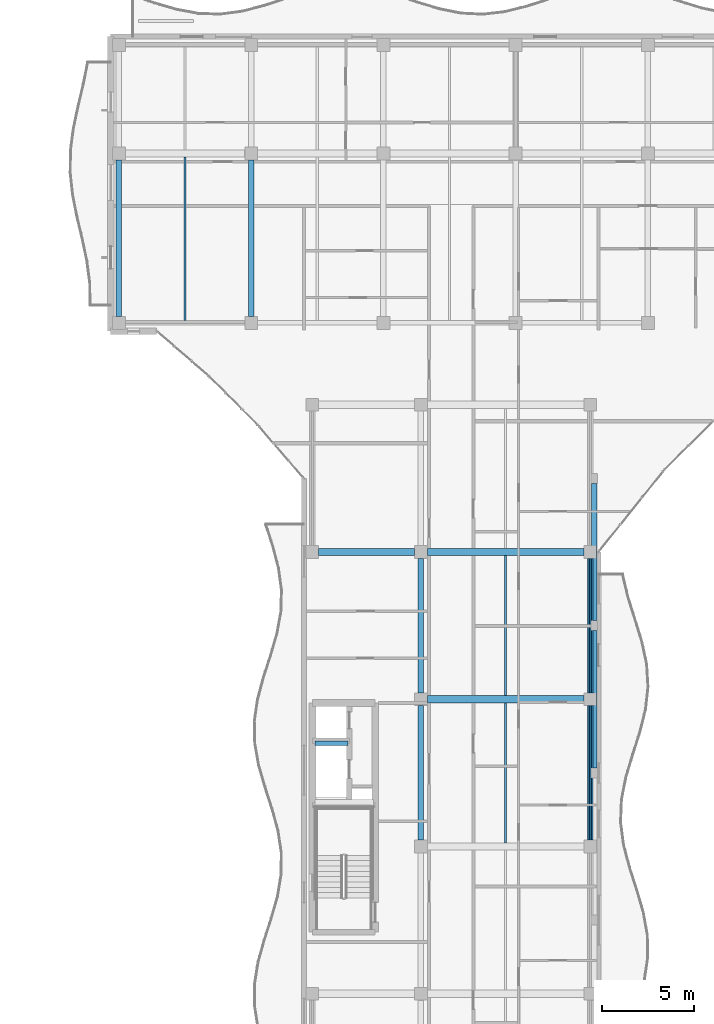
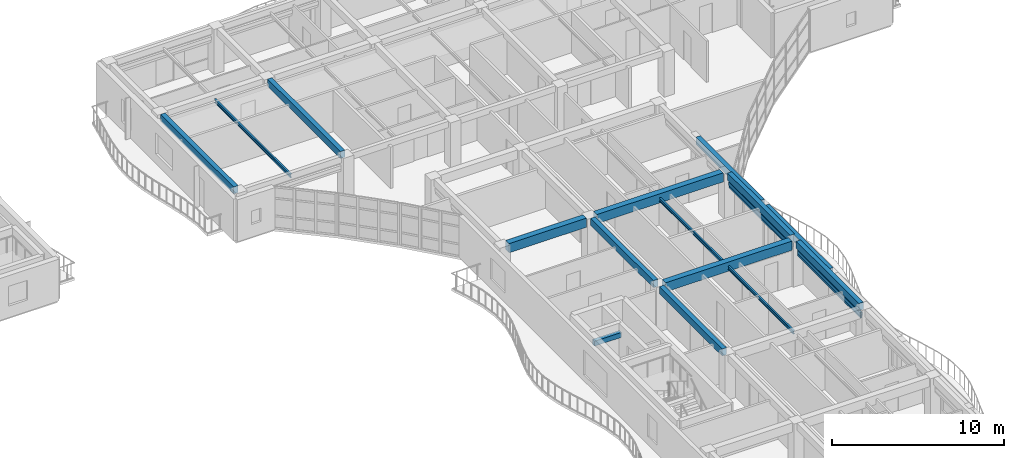
# One storey, part 19 of 89: 15 beams, 4 members.
"""IFC4 building model written with IfcOpenShell, lengths in metres."""

from ifc_helpers import new_model, si_unit, direction, frame, origin, origin_2d, place, context, subcontext, project, spatial, rectangle, hollow_rectangle, i_section, extrude, material, material_profile, profile_set, type_object, element, save


model = new_model("IFC4")

# Units and contexts
model_context = context("Model", 3, precision=1e-05, world=origin(), true_north=direction((0.0, 1.0)))
body_context = subcontext(model_context, "Body", "Model", "MODEL_VIEW")
ifc_project = project(units=[si_unit("LENGTHUNIT", "METRE"), si_unit("AREAUNIT", "SQUARE_METRE"), si_unit("VOLUMEUNIT", "CUBIC_METRE"), si_unit("PLANEANGLEUNIT", "RADIAN"), si_unit("MASSUNIT", "GRAM", prefix="KILO")], contexts=[model_context])

# Site, building, storey
site_placement = place(None, origin())
site = spatial("IfcSite", under=ifc_project, at=site_placement, CompositionType="ELEMENT")
building_placement = place(site_placement, origin())
building = spatial("IfcBuilding", under=site, at=building_placement, Name="Keldmere Railside Commons", CompositionType="ELEMENT")
storey_placement = place(building_placement, frame((0.0, 0.0, 7.360107421875)))
storey = spatial("IfcBuildingStorey", under=building, at=storey_placement, Name="L02", CompositionType="ELEMENT", Elevation=7.360107421875)

# Members
ifc_material_1 = material(Name="Steel F-36 (S355)", Category="steel")
ifc_material_profile_1 = material_profile(ifc_material_1, hollow_rectangle(XDim=0.14990234375, YDim=0.25, WallThickness=0.010009765625, at=origin_2d()), Name="RHS-250x150x10")
ifc_profile_set_1 = profile_set([ifc_material_profile_1], Name="Steel F-36 (S355)")
member_type_1 = type_object("IfcMemberType", Name="Balcony Continuous Planted Trough RHS250x150", PredefinedType="CHORD", material=ifc_profile_set_1)
for number, where, z_axis, x_axis, name in (
    (1, (119.550048828125, 72.35009765625, 2.414794921875), (0.0, 1.0, 0.0), (-1.0, 0.0, 0.0), "PLT-1 MEM-BPLT-0293"),
    (2, (119.550048828125, 80.35009765625, 2.414794921875), (0.0, 1.0, 0.0), (-1.0, 0.0, 0.0), "PLT-1 MEM-BPLT-0295"),
):
    element("IfcMember", number, at=place(storey_placement, frame(where, z_axis=z_axis, x_axis=x_axis)), inside=storey, type_object=member_type_1, Name=name, PredefinedType="CHORD", context=body_context, shape_type="SweptSolid", body=[
        extrude(hollow_rectangle(XDim=0.14990234375, YDim=0.25, WallThickness=0.010009765625, at=origin_2d()), origin(), (0.0, 0.0, 1.0), 7.2998046875),
    ])

# Beams
ifc_material_2 = material(Name="Concrete H-30 (C30/37)", Category="concrete")
ifc_material_profile_2 = material_profile(ifc_material_2, rectangle(XDim=0.25, YDim=0.35009765625, at=origin_2d()), Name="RC-250x350")
ifc_profile_set_2 = profile_set([ifc_material_profile_2], Name="Concrete H-30 (C30/37)")
beam_type_1 = type_object("IfcBeamType", Name="Masonry Opening RC Lintel 250x350", PredefinedType="LINTEL", material=ifc_profile_set_2)
beam_1_placement = place(storey_placement, frame((104.590087890625, 77.60009765625, 2.4248046875), z_axis=(1.0, 0.0, 0.0), x_axis=(0.0, 1.0, 0.0)))
element("IfcBeam", 3, at=beam_1_placement, inside=storey, type_object=beam_type_1, Name="LNT-1 BM-L02-2560", PredefinedType="LINTEL", context=body_context, shape_type="SweptSolid", body=[
    extrude(rectangle(XDim=0.25, YDim=0.35009765625, at=origin_2d()), origin(), (0.0, 0.0, 1.0), 1.809814453125),
])
ifc_material_profile_3 = material_profile(ifc_material_1, i_section(OverallWidth=0.1201171875, OverallDepth=0.239990234375, WebThickness=0.006103515625, FlangeThickness=0.009765625, at=origin_2d()), Name="IPE-240")
ifc_profile_set_3 = profile_set([ifc_material_profile_3], Name="Steel F-36 (S355)")
beam_type_2 = type_object("IfcBeamType", Name="Nursery & Mezzanine Steel Joist IPE240", PredefinedType="JOIST", material=ifc_profile_set_3)
for number, where, z_axis, x_axis, name in (
    (4, (114.949951171875, 72.199951171875, 2.809814453125), (0.0, 1.0, 0.0), (-1.0, 0.0, 0.0), "JST-2 BM-L02-1289"),
    (5, (114.949951171875, 80.199951171875, 2.809814453125), (0.0, 1.0, 0.0), (-1.0, 0.0, 0.0), "JST-2 BM-L02-1292"),
):
    element("IfcBeam", number, at=place(storey_placement, frame(where, z_axis=z_axis, x_axis=x_axis)), inside=storey, type_object=beam_type_2, Name=name, PredefinedType="JOIST", context=body_context, shape_type="SweptSolid", body=[
        extrude(i_section(OverallWidth=0.1201171875, OverallDepth=0.239990234375, WebThickness=0.006103515625, FlangeThickness=0.009765625, at=origin_2d()), origin(), (0.0, 0.0, 1.0), 7.60009765625),
    ])
beam_2_placement = place(storey_placement, frame((97.541015625, 100.574951171875, 2.809814453125), z_axis=(0.0, 1.0, 0.0), x_axis=(-1.0, 0.0, 0.0)))
element("IfcBeam", 6, at=beam_2_placement, inside=storey, type_object=beam_type_2, Name="JST-2 BM-L02-1303", PredefinedType="JOIST", context=body_context, shape_type="SweptSolid", body=[
    extrude(i_section(OverallWidth=0.1201171875, OverallDepth=0.239990234375, WebThickness=0.006103515625, FlangeThickness=0.009765625, at=origin_2d()), origin(), (0.0, 0.0, 1.0), 8.875),
])
ifc_material_profile_4 = material_profile(ifc_material_2, rectangle(XDim=0.39990234375, YDim=0.64990234375, at=origin_2d()), Name="RC-400x650")
ifc_profile_set_4 = profile_set([ifc_material_profile_4], Name="Concrete H-30 (C30/37)")
beam_type_3 = type_object("IfcBeamType", Name="Residential Spine RC Girder 400x650", PredefinedType="BEAM", material=ifc_profile_set_4)
beam_3_placement = place(storey_placement, frame((110.699951171875, 80.0, 2.875), z_axis=(1.0, 0.0, 0.0), x_axis=(0.0, 1.0, 0.0)))
element("IfcBeam", 7, at=beam_3_placement, inside=storey, type_object=beam_type_3, Name="BG-3 BM-L02-1090", PredefinedType="BEAM", context=body_context, shape_type="SweptSolid", body=[
    extrude(rectangle(XDim=0.39990234375, YDim=0.64990234375, at=origin_2d()), origin(), (0.0, 0.0, 1.0), 8.5),
])
beam_4_placement = place(storey_placement, frame((104.800048828125, 88.0, 2.875), z_axis=(1.0, 0.0, 0.0), x_axis=(0.0, 1.0, 0.0)))
element("IfcBeam", 8, at=beam_4_placement, inside=storey, type_object=beam_type_3, Name="BG-3 BM-L02-1096", PredefinedType="BEAM", context=body_context, shape_type="SweptSolid", body=[
    extrude(rectangle(XDim=0.39990234375, YDim=0.64990234375, at=origin_2d()), origin(), (0.0, 0.0, 1.0), 5.199951171875),
])
beam_5_placement = place(storey_placement, frame((110.699951171875, 88.0, 2.875), z_axis=(1.0, 0.0, 0.0), x_axis=(0.0, 1.0, 0.0)))
element("IfcBeam", 9, at=beam_5_placement, inside=storey, type_object=beam_type_3, Name="BG-3 BM-L02-1097", PredefinedType="BEAM", context=body_context, shape_type="SweptSolid", body=[
    extrude(rectangle(XDim=0.39990234375, YDim=0.64990234375, at=origin_2d()), origin(), (0.0, 0.0, 1.0), 8.5),
])
ifc_material_profile_5 = material_profile(ifc_material_2, rectangle(XDim=0.300048828125, YDim=0.5, at=origin_2d()), Name="RC-300x500")
ifc_profile_set_5 = profile_set([ifc_material_profile_5], Name="Concrete H-30 (C30/37)")
beam_type_4 = type_object("IfcBeamType", Name="Secondary Frame RC Beam 300x500", PredefinedType="BEAM", material=ifc_profile_set_5)
for number, where, z_axis, x_axis, name in (
    (10, (93.949951171875, 100.800048828125, 2.949951171875), (0.0, 1.0, 0.0), (-1.0, 0.0, 0.0), "BG-5 BM-L02-1200"),
    (11, (101.133056640625, 100.800048828125, 2.949951171875), (0.0, 1.0, 0.0), (-1.0, 0.0, 0.0), "BG-5 BM-L02-1202"),
):
    element("IfcBeam", number, at=place(storey_placement, frame(where, z_axis=z_axis, x_axis=x_axis)), inside=storey, type_object=beam_type_4, Name=name, PredefinedType="BEAM", context=body_context, shape_type="SweptSolid", body=[
        extrude(rectangle(XDim=0.300048828125, YDim=0.5, at=origin_2d()), origin(), (0.0, 0.0, 1.0), 8.5),
    ])
for number, where, z_axis, x_axis, name in (
    (12, (110.35009765625, 72.35009765625, 2.949951171875), (0.0, 1.0, 0.0), (-1.0, 0.0, 0.0), "BG-5 BM-L02-1210"),
    (13, (110.35009765625, 80.35009765625, 2.949951171875), (0.0, 1.0, 0.0), (-1.0, 0.0, 0.0), "BG-5 BM-L02-1211"),
    (14, (119.550048828125, 72.35009765625, 2.949951171875), (0.0, 1.0, 0.0), (-1.0, 0.0, 0.0), "BG-5 BM-L02-1217"),
    (15, (119.550048828125, 80.35009765625, 2.949951171875), (0.0, 1.0, 0.0), (-1.0, 0.0, 0.0), "BG-5 BM-L02-1218"),
):
    element("IfcBeam", number, at=place(storey_placement, frame(where, z_axis=z_axis, x_axis=x_axis)), inside=storey, type_object=beam_type_4, Name=name, PredefinedType="BEAM", context=body_context, shape_type="SweptSolid", body=[
        extrude(rectangle(XDim=0.300048828125, YDim=0.5, at=origin_2d()), origin(), (0.0, 0.0, 1.0), 7.2998046875),
    ])
for number, where, z_axis, x_axis, name in (
    (16, (119.780029296875, 76.27490234375, 2.949951171875), (0.0, 1.0, 0.0), (-1.0, 0.0, 0.0), "BG-5 BM-L02-1222"),
    (17, (119.780029296875, 84.27490234375, 2.949951171875), (0.0, 1.0, 0.0), (-1.0, 0.0, 0.0), "BG-5 BM-L02-1223"),
):
    element("IfcBeam", number, at=place(storey_placement, frame(where, z_axis=z_axis, x_axis=x_axis)), inside=storey, type_object=beam_type_4, Name=name, PredefinedType="BEAM", context=body_context, shape_type="SweptSolid", body=[
        extrude(rectangle(XDim=0.300048828125, YDim=0.5, at=origin_2d()), origin(), (0.0, 0.0, 1.0), 7.4501953125),
    ])

# Members
ifc_material_profile_6 = material_profile(ifc_material_1, hollow_rectangle(XDim=0.10009765625, YDim=0.159912109375, WallThickness=0.008056640625, at=origin_2d()), Name="RHS-160x100x8")
ifc_profile_set_6 = profile_set([ifc_material_profile_6], Name="Steel F-36 (S355)")
member_type_2 = type_object("IfcMemberType", Name="Solar Brise-Soleil Louvre Fin RHS160x100", PredefinedType="STRUT", material=ifc_profile_set_6)
for number, where, z_axis, x_axis, name in (
    (18, (119.550048828125, 72.35009765625, 2.199951171875), (0.0, 1.0, 0.0), (-1.0, 0.0, 0.0), "BSF-1 MEM-BSF-0294"),
    (19, (119.550048828125, 80.35009765625, 2.199951171875), (0.0, 1.0, 0.0), (-1.0, 0.0, 0.0), "BSF-1 MEM-BSF-0296"),
):
    element("IfcMember", number, at=place(storey_placement, frame(where, z_axis=z_axis, x_axis=x_axis)), inside=storey, type_object=member_type_2, Name=name, PredefinedType="STRUT", context=body_context, shape_type="SweptSolid", body=[
        extrude(hollow_rectangle(XDim=0.10009765625, YDim=0.159912109375, WallThickness=0.008056640625, at=origin_2d()), origin(), (0.0, 0.0, 1.0), 7.2998046875),
    ])

save(model, "model.ifc")
